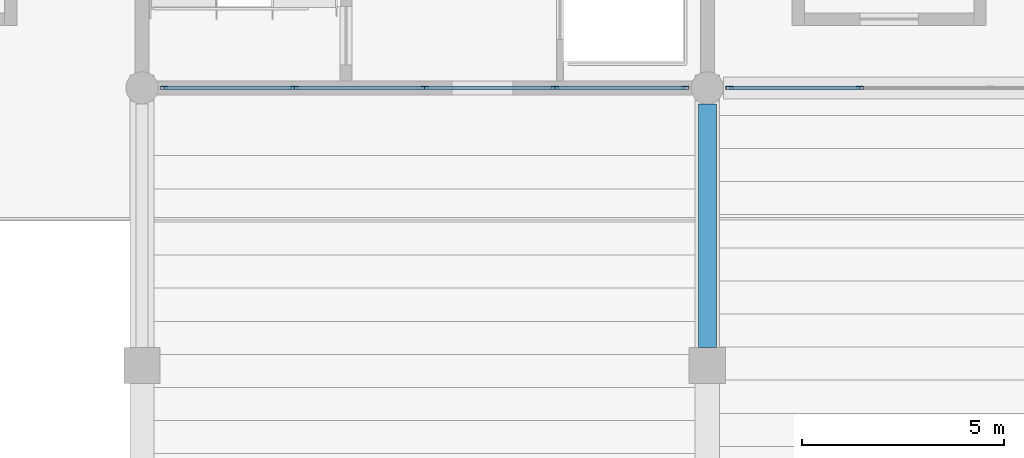
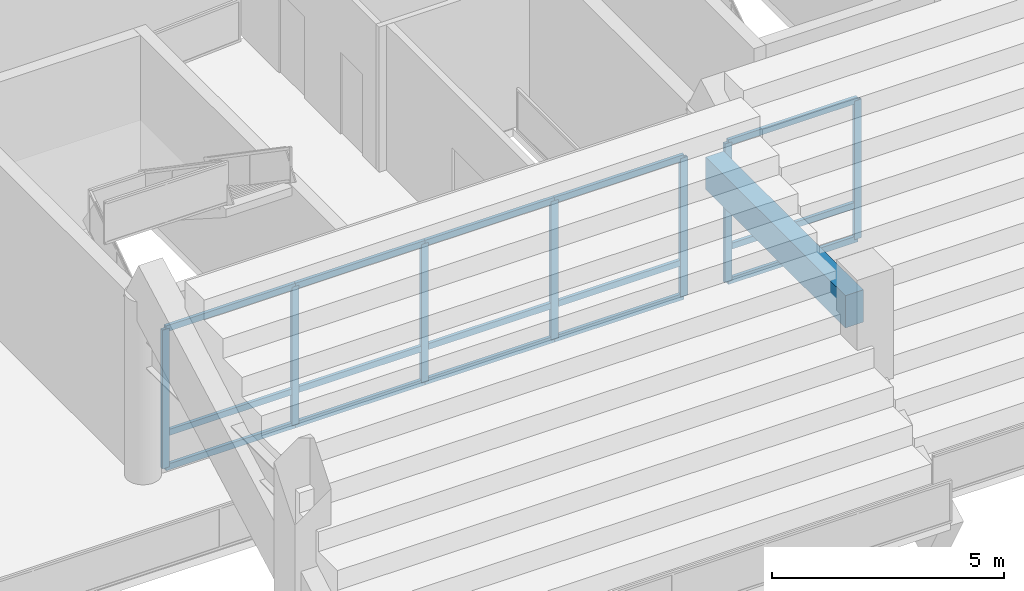
# One storey, part 48 of 94: 22 members, 1 beam, 2 elements without a shape of their own.
"""IFC4 building model written with IfcOpenShell, lengths in metres."""

from ifc_helpers import new_model, si_unit, direction, frame, origin, origin_2d, place, context, subcontext, project, spatial, rectangle, hollow_rectangle, extrude, material, material_profile, profile_set, type_object, element, aggregate, save


model = new_model("IFC4")

# Units and contexts
model_context = context("Model", 3, precision=1e-05, world=origin(), true_north=direction((0.0, 1.0)))
body_context = subcontext(model_context, "Body", "Model", "MODEL_VIEW")
ifc_project = project(units=[si_unit("LENGTHUNIT", "METRE"), si_unit("AREAUNIT", "SQUARE_METRE"), si_unit("VOLUMEUNIT", "CUBIC_METRE"), si_unit("PLANEANGLEUNIT", "RADIAN"), si_unit("MASSUNIT", "GRAM", prefix="KILO")], contexts=[model_context])

# Site, building, storey
site_placement = place(None, origin())
site = spatial("IfcSite", under=ifc_project, at=site_placement, CompositionType="ELEMENT")
building_placement = place(site_placement, origin())
building = spatial("IfcBuilding", under=site, at=building_placement, Name="Linyun Crest Stadium", CompositionType="ELEMENT")
storey_placement = place(building_placement, frame((0.0, 0.0, 16.199951171875)))
storey = spatial("IfcBuildingStorey", under=building, at=storey_placement, Name="L04", CompositionType="ELEMENT", Elevation=16.199951171875)

# Beam
ifc_material_1 = material(Name="Concrete C40", Category="concrete")
ifc_material_profile_1 = material_profile(ifc_material_1, rectangle(XDim=0.449951171875, YDim=0.85009765625, at=origin_2d()), Name="RCB 850x450")
ifc_profile_set_1 = profile_set([ifc_material_profile_1], Name="Concrete C40")
beam_type = type_object("IfcBeamType", Name="B04", PredefinedType="BEAM", material=ifc_profile_set_1)
beam_placement = place(storey_placement, frame((-14.0, 85.074951171875, 3.344970703125), z_axis=(0.0, 1.0, 0.0), x_axis=(-1.0, 0.0, 0.0)))
element("IfcBeam", 1, at=beam_placement, inside=storey, type_object=beam_type, Name="Frame beam B04 L04 815", PredefinedType="BEAM", context=body_context, shape_type="SweptSolid", body=[
    extrude(rectangle(XDim=0.449951171875, YDim=0.85009765625, at=origin_2d()), origin(), (0.0, 0.0, 1.0), 6.025146484375),
])

# Curtain wall, members
ifc_material_2 = material(Name="Verdigris steel and low-E curtain wall assembly", Category="steel")
curtain_wall_type = type_object("IfcCurtainWallType", Name="MCW01", PredefinedType="NOTDEFINED", material=ifc_material_2)
curtain_wall_1_placement = place(storey_placement, origin())
curtain_wall_1 = element("IfcCurtainWall", 2, at=curtain_wall_1_placement, inside=storey, type_object=curtain_wall_type, Name="CWR-129", PredefinedType="NOTDEFINED")
ifc_material_3 = material(Name="Verdigris painted steel Q355B mullion", Category="steel")
ifc_material_profile_2 = material_profile(ifc_material_3, hollow_rectangle(XDim=0.080078125, YDim=0.179931640625, WallThickness=0.006103515625, at=origin_2d()), Name="RHS 180x80x6")
ifc_profile_set_2 = profile_set([ifc_material_profile_2], Name="Verdigris painted steel Q355B mullion")
member_type_1 = type_object("IfcMemberType", Name="ML02", PredefinedType="MULLION", material=ifc_profile_set_2)
member_1_placement = place(storey_placement, frame((-27.449951171875, 91.5, 0.0), z_axis=(0.0, 0.0, 1.0), x_axis=(0.0, 1.0, 0.0)))
member_1 = element("IfcMember", 3, at=member_1_placement, type_object=member_type_1, Name="CWR-129 mullion 1", PredefinedType="MULLION", context=body_context, shape_type="SweptSolid", body=[
    extrude(hollow_rectangle(XDim=0.080078125, YDim=0.179931640625, WallThickness=0.006103515625, at=origin_2d()), origin(), (0.0, 0.0, 1.0), 3.650146484375),
])
member_2_placement = place(storey_placement, frame((-24.22509765625, 91.5, 0.0), z_axis=(0.0, 0.0, 1.0), x_axis=(0.0, 1.0, 0.0)))
member_2 = element("IfcMember", 4, at=member_2_placement, type_object=member_type_1, Name="CWR-129 mullion 2", PredefinedType="MULLION", context=body_context, shape_type="SweptSolid", body=[
    extrude(hollow_rectangle(XDim=0.080078125, YDim=0.179931640625, WallThickness=0.006103515625, at=origin_2d()), origin(), (0.0, 0.0, 1.0), 3.650146484375),
])
member_3_placement = place(storey_placement, frame((-21.0, 91.5, 0.0), z_axis=(0.0, 0.0, 1.0), x_axis=(0.0, 1.0, 0.0)))
member_3 = element("IfcMember", 5, at=member_3_placement, type_object=member_type_1, Name="CWR-129 mullion 3", PredefinedType="MULLION", context=body_context, shape_type="SweptSolid", body=[
    extrude(hollow_rectangle(XDim=0.080078125, YDim=0.179931640625, WallThickness=0.006103515625, at=origin_2d()), origin(), (0.0, 0.0, 1.0), 3.650146484375),
])
member_4_placement = place(storey_placement, frame((-17.77490234375, 91.5, 0.0), z_axis=(0.0, 0.0, 1.0), x_axis=(0.0, 1.0, 0.0)))
member_4 = element("IfcMember", 6, at=member_4_placement, type_object=member_type_1, Name="CWR-129 mullion 4", PredefinedType="MULLION", context=body_context, shape_type="SweptSolid", body=[
    extrude(hollow_rectangle(XDim=0.080078125, YDim=0.179931640625, WallThickness=0.006103515625, at=origin_2d()), origin(), (0.0, 0.0, 1.0), 3.650146484375),
])
member_5_placement = place(storey_placement, frame((-14.550048828125, 91.5, 0.0), z_axis=(0.0, 0.0, 1.0), x_axis=(0.0, 1.0, 0.0)))
member_5 = element("IfcMember", 7, at=member_5_placement, type_object=member_type_1, Name="CWR-129 mullion 5", PredefinedType="MULLION", context=body_context, shape_type="SweptSolid", body=[
    extrude(hollow_rectangle(XDim=0.080078125, YDim=0.179931640625, WallThickness=0.006103515625, at=origin_2d()), origin(), (0.0, 0.0, 1.0), 3.650146484375),
])

curtain_wall_2_placement = place(storey_placement, origin())
curtain_wall_2 = element("IfcCurtainWall", 8, at=curtain_wall_2_placement, inside=storey, type_object=curtain_wall_type, Name="CWR-136", PredefinedType="NOTDEFINED")
member_6_placement = place(storey_placement, frame((-13.449951171875, 91.5, 0.0), z_axis=(0.0, 0.0, 1.0), x_axis=(0.0, 1.0, 0.0)))
member_6 = element("IfcMember", 9, at=member_6_placement, type_object=member_type_1, Name="CWR-136 mullion 1", PredefinedType="MULLION", context=body_context, shape_type="SweptSolid", body=[
    extrude(hollow_rectangle(XDim=0.080078125, YDim=0.179931640625, WallThickness=0.006103515625, at=origin_2d()), origin(), (0.0, 0.0, 1.0), 3.650146484375),
])
member_7_placement = place(storey_placement, frame((-10.22509765625, 91.5, 0.0), z_axis=(0.0, 0.0, 1.0), x_axis=(0.0, 1.0, 0.0)))
member_7 = element("IfcMember", 10, at=member_7_placement, type_object=member_type_1, Name="CWR-136 mullion 2", PredefinedType="MULLION", context=body_context, shape_type="SweptSolid", body=[
    extrude(hollow_rectangle(XDim=0.080078125, YDim=0.179931640625, WallThickness=0.006103515625, at=origin_2d()), origin(), (0.0, 0.0, 1.0), 3.650146484375),
])

# Member
ifc_material_4 = material(Name="Aluminium thermally broken transom", Category="aluminium")
ifc_material_profile_3 = material_profile(ifc_material_4, hollow_rectangle(XDim=0.080078125, YDim=0.159912109375, WallThickness=0.006103515625, at=origin_2d()), Name="RHS 160x80x6")
ifc_profile_set_3 = profile_set([ifc_material_profile_3], Name="Aluminium thermally broken transom")
member_type_2 = type_object("IfcMemberType", Name="TR01", PredefinedType="USERDEFINED", material=ifc_profile_set_3)
member_8_placement = place(storey_placement, frame((-27.449951171875, 91.5, 0.0), z_axis=(1.0, 0.0, 0.0), x_axis=(0.0, 1.0, 0.0)))
member_8 = element("IfcMember", 11, at=member_8_placement, type_object=member_type_2, Name="CWR-129 transom 1.1", ObjectType="TRANSOM", PredefinedType="USERDEFINED", context=body_context, shape_type="SweptSolid", body=[
    extrude(hollow_rectangle(XDim=0.080078125, YDim=0.159912109375, WallThickness=0.006103515625, at=origin_2d()), origin(), (0.0, 0.0, 1.0), 3.224853515625),
])

member_9_placement = place(storey_placement, frame((-27.449951171875, 91.5, 0.900146484375), z_axis=(1.0, 0.0, 0.0), x_axis=(0.0, 1.0, 0.0)))
member_9 = element("IfcMember", 12, at=member_9_placement, type_object=member_type_2, Name="CWR-129 transom 1.2", ObjectType="TRANSOM", PredefinedType="USERDEFINED", context=body_context, shape_type="SweptSolid", body=[
    extrude(hollow_rectangle(XDim=0.080078125, YDim=0.159912109375, WallThickness=0.006103515625, at=origin_2d()), origin(), (0.0, 0.0, 1.0), 3.224853515625),
])

member_10_placement = place(storey_placement, frame((-27.449951171875, 91.5, 3.650146484375), z_axis=(1.0, 0.0, 0.0), x_axis=(0.0, 1.0, 0.0)))
member_10 = element("IfcMember", 13, at=member_10_placement, type_object=member_type_2, Name="CWR-129 transom 1.3", ObjectType="TRANSOM", PredefinedType="USERDEFINED", context=body_context, shape_type="SweptSolid", body=[
    extrude(hollow_rectangle(XDim=0.080078125, YDim=0.159912109375, WallThickness=0.006103515625, at=origin_2d()), origin(), (0.0, 0.0, 1.0), 3.224853515625),
])

member_11_placement = place(storey_placement, frame((-24.22509765625, 91.5, 0.0), z_axis=(1.0, 0.0, 0.0), x_axis=(0.0, 1.0, 0.0)))
member_11 = element("IfcMember", 14, at=member_11_placement, type_object=member_type_2, Name="CWR-129 transom 2.1", ObjectType="TRANSOM", PredefinedType="USERDEFINED", context=body_context, shape_type="SweptSolid", body=[
    extrude(hollow_rectangle(XDim=0.080078125, YDim=0.159912109375, WallThickness=0.006103515625, at=origin_2d()), origin(), (0.0, 0.0, 1.0), 3.22509765625),
])

member_12_placement = place(storey_placement, frame((-24.22509765625, 91.5, 0.900146484375), z_axis=(1.0, 0.0, 0.0), x_axis=(0.0, 1.0, 0.0)))
member_12 = element("IfcMember", 15, at=member_12_placement, type_object=member_type_2, Name="CWR-129 transom 2.2", ObjectType="TRANSOM", PredefinedType="USERDEFINED", context=body_context, shape_type="SweptSolid", body=[
    extrude(hollow_rectangle(XDim=0.080078125, YDim=0.159912109375, WallThickness=0.006103515625, at=origin_2d()), origin(), (0.0, 0.0, 1.0), 3.22509765625),
])

member_13_placement = place(storey_placement, frame((-24.22509765625, 91.5, 3.650146484375), z_axis=(1.0, 0.0, 0.0), x_axis=(0.0, 1.0, 0.0)))
member_13 = element("IfcMember", 16, at=member_13_placement, type_object=member_type_2, Name="CWR-129 transom 2.3", ObjectType="TRANSOM", PredefinedType="USERDEFINED", context=body_context, shape_type="SweptSolid", body=[
    extrude(hollow_rectangle(XDim=0.080078125, YDim=0.159912109375, WallThickness=0.006103515625, at=origin_2d()), origin(), (0.0, 0.0, 1.0), 3.22509765625),
])

member_14_placement = place(storey_placement, frame((-21.0, 91.5, 0.0), z_axis=(1.0, 0.0, 0.0), x_axis=(0.0, 1.0, 0.0)))
member_14 = element("IfcMember", 17, at=member_14_placement, type_object=member_type_2, Name="CWR-129 transom 3.1", ObjectType="TRANSOM", PredefinedType="USERDEFINED", context=body_context, shape_type="SweptSolid", body=[
    extrude(hollow_rectangle(XDim=0.080078125, YDim=0.159912109375, WallThickness=0.006103515625, at=origin_2d()), origin(), (0.0, 0.0, 1.0), 3.22509765625),
])

member_15_placement = place(storey_placement, frame((-21.0, 91.5, 0.900146484375), z_axis=(1.0, 0.0, 0.0), x_axis=(0.0, 1.0, 0.0)))
member_15 = element("IfcMember", 18, at=member_15_placement, type_object=member_type_2, Name="CWR-129 transom 3.2", ObjectType="TRANSOM", PredefinedType="USERDEFINED", context=body_context, shape_type="SweptSolid", body=[
    extrude(hollow_rectangle(XDim=0.080078125, YDim=0.159912109375, WallThickness=0.006103515625, at=origin_2d()), origin(), (0.0, 0.0, 1.0), 3.22509765625),
])

member_16_placement = place(storey_placement, frame((-21.0, 91.5, 3.650146484375), z_axis=(1.0, 0.0, 0.0), x_axis=(0.0, 1.0, 0.0)))
member_16 = element("IfcMember", 19, at=member_16_placement, type_object=member_type_2, Name="CWR-129 transom 3.3", ObjectType="TRANSOM", PredefinedType="USERDEFINED", context=body_context, shape_type="SweptSolid", body=[
    extrude(hollow_rectangle(XDim=0.080078125, YDim=0.159912109375, WallThickness=0.006103515625, at=origin_2d()), origin(), (0.0, 0.0, 1.0), 3.22509765625),
])

member_17_placement = place(storey_placement, frame((-17.77490234375, 91.5, 0.0), z_axis=(1.0, 0.0, 0.0), x_axis=(0.0, 1.0, 0.0)))
member_17 = element("IfcMember", 20, at=member_17_placement, type_object=member_type_2, Name="CWR-129 transom 4.1", ObjectType="TRANSOM", PredefinedType="USERDEFINED", context=body_context, shape_type="SweptSolid", body=[
    extrude(hollow_rectangle(XDim=0.080078125, YDim=0.159912109375, WallThickness=0.006103515625, at=origin_2d()), origin(), (0.0, 0.0, 1.0), 3.224853515625),
])

member_18_placement = place(storey_placement, frame((-17.77490234375, 91.5, 0.900146484375), z_axis=(1.0, 0.0, 0.0), x_axis=(0.0, 1.0, 0.0)))
member_18 = element("IfcMember", 21, at=member_18_placement, type_object=member_type_2, Name="CWR-129 transom 4.2", ObjectType="TRANSOM", PredefinedType="USERDEFINED", context=body_context, shape_type="SweptSolid", body=[
    extrude(hollow_rectangle(XDim=0.080078125, YDim=0.159912109375, WallThickness=0.006103515625, at=origin_2d()), origin(), (0.0, 0.0, 1.0), 3.224853515625),
])

member_19_placement = place(storey_placement, frame((-17.77490234375, 91.5, 3.650146484375), z_axis=(1.0, 0.0, 0.0), x_axis=(0.0, 1.0, 0.0)))
member_19 = element("IfcMember", 22, at=member_19_placement, type_object=member_type_2, Name="CWR-129 transom 4.3", ObjectType="TRANSOM", PredefinedType="USERDEFINED", context=body_context, shape_type="SweptSolid", body=[
    extrude(hollow_rectangle(XDim=0.080078125, YDim=0.159912109375, WallThickness=0.006103515625, at=origin_2d()), origin(), (0.0, 0.0, 1.0), 3.224853515625),
])

aggregate(curtain_wall_1, [member_1, member_2, member_3, member_4, member_5, member_8, member_9, member_10, member_11, member_12, member_13, member_14, member_15, member_16, member_17, member_18, member_19])

member_20_placement = place(storey_placement, frame((-13.449951171875, 91.5, 0.0), z_axis=(1.0, 0.0, 0.0), x_axis=(0.0, 1.0, 0.0)))
member_20 = element("IfcMember", 23, at=member_20_placement, type_object=member_type_2, Name="CWR-136 transom 1.1", ObjectType="TRANSOM", PredefinedType="USERDEFINED", context=body_context, shape_type="SweptSolid", body=[
    extrude(hollow_rectangle(XDim=0.080078125, YDim=0.159912109375, WallThickness=0.006103515625, at=origin_2d()), origin(), (0.0, 0.0, 1.0), 3.224853515625),
])

member_21_placement = place(storey_placement, frame((-13.449951171875, 91.5, 0.900146484375), z_axis=(1.0, 0.0, 0.0), x_axis=(0.0, 1.0, 0.0)))
member_21 = element("IfcMember", 24, at=member_21_placement, type_object=member_type_2, Name="CWR-136 transom 1.2", ObjectType="TRANSOM", PredefinedType="USERDEFINED", context=body_context, shape_type="SweptSolid", body=[
    extrude(hollow_rectangle(XDim=0.080078125, YDim=0.159912109375, WallThickness=0.006103515625, at=origin_2d()), origin(), (0.0, 0.0, 1.0), 3.224853515625),
])

member_22_placement = place(storey_placement, frame((-13.449951171875, 91.5, 3.650146484375), z_axis=(1.0, 0.0, 0.0), x_axis=(0.0, 1.0, 0.0)))
member_22 = element("IfcMember", 25, at=member_22_placement, type_object=member_type_2, Name="CWR-136 transom 1.3", ObjectType="TRANSOM", PredefinedType="USERDEFINED", context=body_context, shape_type="SweptSolid", body=[
    extrude(hollow_rectangle(XDim=0.080078125, YDim=0.159912109375, WallThickness=0.006103515625, at=origin_2d()), origin(), (0.0, 0.0, 1.0), 3.224853515625),
])

aggregate(curtain_wall_2, [member_6, member_7, member_20, member_21, member_22])

save(model, "model.ifc")
